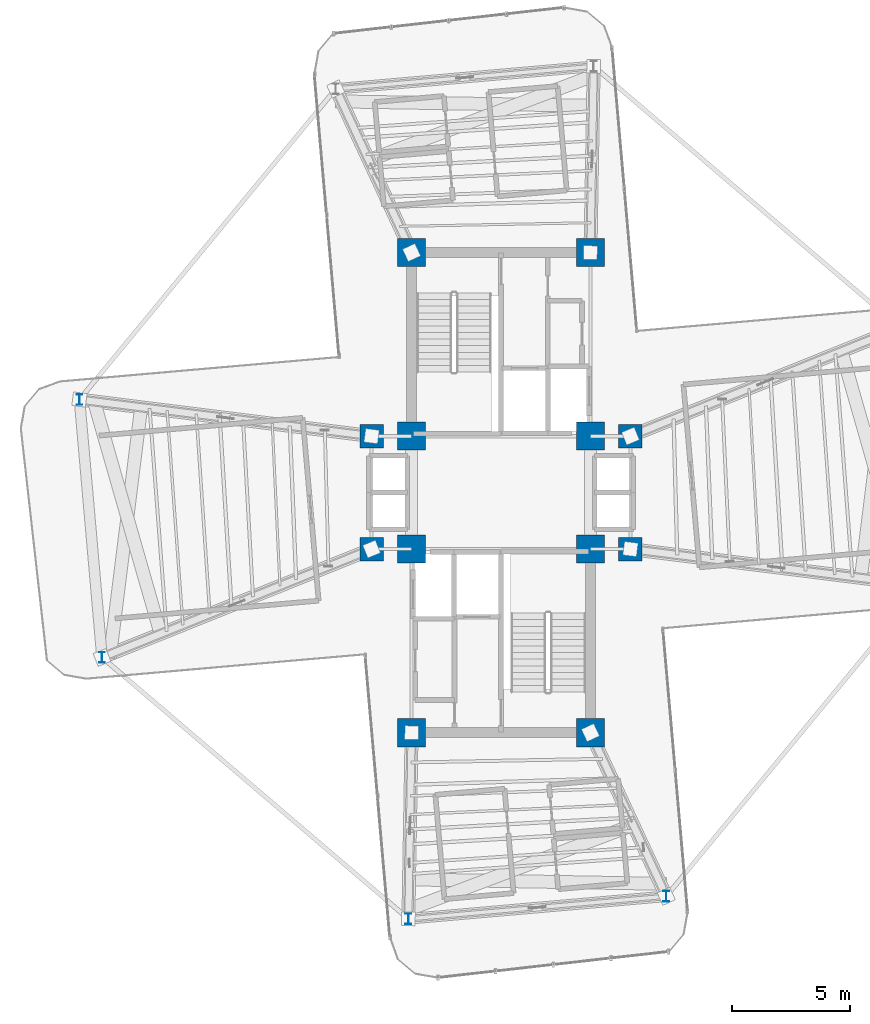
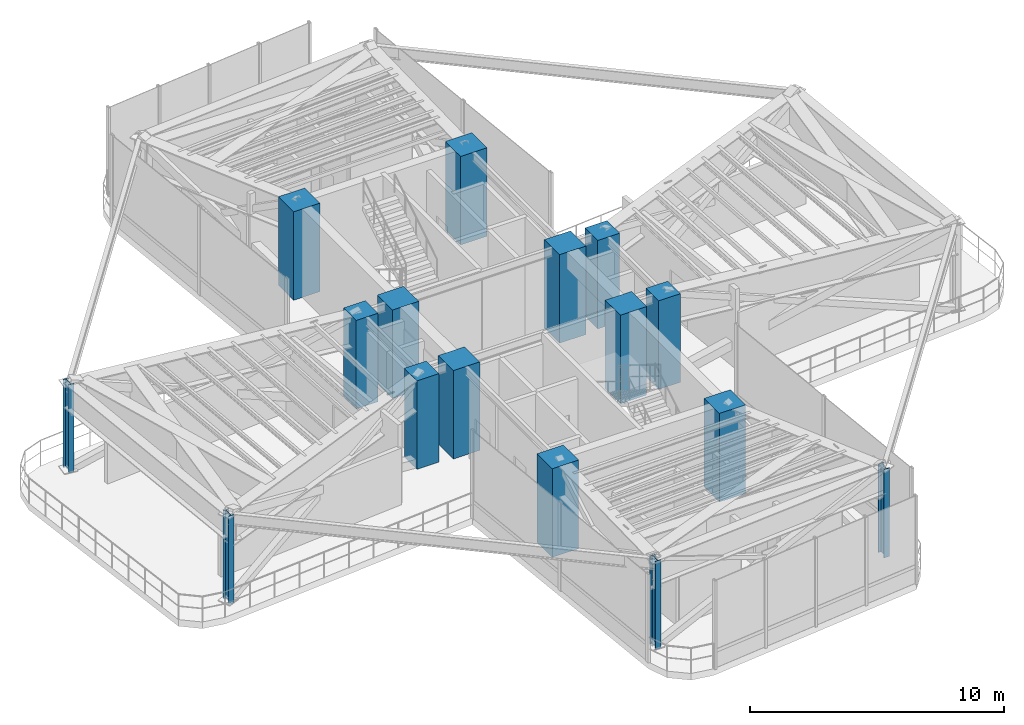
# One storey, part 1 of 17: 16 columns.
"""IFC4 building model written with IfcOpenShell, lengths in metres."""

import ifcopenshell
import ifcopenshell.guid

model = None  # the IFC model being written
_history = None  # IfcOwnerHistory: only IFC2X3 demands one
_inside = {}  # id of a spatial element -> (the spatial element, [elements in it])
_under = {}  # id of a project, library or spatial element -> (it, [spatial elements below it])
_declared = {}  # id of a project -> (the project, [libraries it declares])
_typed = {}  # id of a type object -> (the type object, [elements of that type])
_made_of = {}  # id of a material, layer set ... -> (it, [elements and type objects made of it])


def new_model(schema):
    """Start an empty IFC model of exactly this schema.

    Asked for "IFC4X3", IfcOpenShell would pick the latest addendum, in which some entities
    have other attributes; the version numbers below select the first issue.
    IFC2X3 requires an IfcOwnerHistory on every rooted entity: one is made here for all.
    """
    global model, _history
    if schema == "IFC4X3":
        model = ifcopenshell.file(schema_version=(4, 3, 0, 0))
    else:
        model = ifcopenshell.file(schema=schema)
    _inside.clear()
    _under.clear()
    _declared.clear()
    _typed.clear()
    _made_of.clear()
    _history = None
    if model.schema == "IFC2X3":
        org = make("IfcOrganization", Name="unknown")
        user = make(
            "IfcPersonAndOrganization",
            ThePerson=make("IfcPerson", FamilyName="unknown"),
            TheOrganization=org,
        )
        app = make(
            "IfcApplication",
            ApplicationDeveloper=org,
            Version="unknown",
            ApplicationFullName="unknown",
            ApplicationIdentifier="unknown",
        )
        _history = make(
            "IfcOwnerHistory",
            OwningUser=user,
            OwningApplication=app,
            ChangeAction="ADDED",
            CreationDate=0,
        )
    return model


def make(cls, **values):
    """One entity of the class cls with the attributes given. An attribute that is None is left unset."""
    return model.create_entity(
        cls, **{name: value for name, value in values.items() if value is not None}
    )


def rooted(cls, **values):
    """An entity with a GlobalId (a new one), such as an element, a storey or a relation."""
    return make(cls, GlobalId=ifcopenshell.guid.new(), OwnerHistory=_history, **values)


def si_unit(unit_type, name, prefix=None):
    """IfcSIUnit, for example si_unit("LENGTHUNIT", "METRE", prefix="MILLI")."""
    return make("IfcSIUnit", UnitType=unit_type, Prefix=prefix, Name=name)


def assignment(units):
    """IfcUnitAssignment: the units of a project."""
    return None if units is None else make("IfcUnitAssignment", Units=units)


def point(xyz):
    """IfcCartesianPoint."""
    return None if xyz is None else make("IfcCartesianPoint", Coordinates=xyz)


def direction(xyz):
    """IfcDirection."""
    return None if xyz is None else make("IfcDirection", DirectionRatios=xyz)


def frame(location, z_axis=None, x_axis=None):
    """IfcAxis2Placement3D, a coordinate frame: its origin and axes. An axis left out is left unset."""
    return make(
        "IfcAxis2Placement3D",
        Location=point(location),
        Axis=direction(z_axis),
        RefDirection=direction(x_axis),
    )


def frame_2d(location, x_axis=None):
    """IfcAxis2Placement2D, a coordinate frame in the plane: its origin and x axis."""
    return make(
        "IfcAxis2Placement2D", Location=point(location), RefDirection=direction(x_axis)
    )


def origin():
    """The frame at (0, 0, 0) with its axes left unset."""
    return frame((0.0, 0.0, 0.0))


def origin_2d():
    """The frame at (0, 0) in the plane with its x axis left unset."""
    return frame_2d((0.0, 0.0))


def place(relative_to, where):
    """IfcLocalPlacement: puts the frame where relative to a parent placement (None: the world)."""
    return make(
        "IfcLocalPlacement", PlacementRelTo=relative_to, RelativePlacement=where
    )


def context(
    kind, dimensions, precision=None, world=None, true_north=None, identifier=None
):
    """IfcGeometricRepresentationContext, for example the 3D "Model" context."""
    return make(
        "IfcGeometricRepresentationContext",
        ContextIdentifier=identifier,
        ContextType=kind,
        CoordinateSpaceDimension=dimensions,
        Precision=precision,
        WorldCoordinateSystem=world,
        TrueNorth=true_north,
    )


def subcontext(parent, identifier, kind, view, scale=None):
    """IfcGeometricRepresentationSubContext, for example "Body" below "Model"."""
    return make(
        "IfcGeometricRepresentationSubContext",
        ContextIdentifier=identifier,
        ContextType=kind,
        ParentContext=parent,
        TargetScale=scale,
        TargetView=view,
    )


def project(units=None, contexts=None):
    """IfcProject with its units and contexts."""
    return rooted(
        "IfcProject",
        Name="project",
        RepresentationContexts=contexts,
        UnitsInContext=assignment(units),
    )


def spatial(cls, under=None, at=None, **own):
    """A site, building, storey or space (cls), placed at a placement, below another one or the project."""
    s = rooted(cls, ObjectPlacement=at, **own)
    if under is not None:
        _under.setdefault(under.id(), (under, []))[1].append(s)
    return s


def profile(cls, at=None, kind="AREA", **sizes):
    """A parametric profile (cls). Its sizes go by their IFC names, for example OverallWidth=200.0."""
    return make(cls, ProfileType=kind, Position=at, **sizes)


def rectangle(**sizes):
    """IfcRectangleProfileDef."""
    return profile("IfcRectangleProfileDef", **sizes)


def i_section(**sizes):
    """IfcIShapeProfileDef."""
    return profile("IfcIShapeProfileDef", **sizes)


def extrude(swept, where, along, depth):
    """IfcExtrudedAreaSolid: the profile swept, set in the frame where, extruded along a direction by depth."""
    return make(
        "IfcExtrudedAreaSolid",
        SweptArea=swept,
        Position=where,
        ExtrudedDirection=direction(along),
        Depth=depth,
    )


def shape(context_of_items, identifier, shape_type, items):
    """IfcShapeRepresentation: the items that make up one representation, for example the "Body"."""
    return make(
        "IfcShapeRepresentation",
        ContextOfItems=context_of_items,
        RepresentationIdentifier=identifier,
        RepresentationType=shape_type,
        Items=items,
    )


def source(mapping_origin, context_of_items, identifier, shape_type, items):
    """IfcRepresentationMap: a shape defined once, which mapped items show again and again."""
    return make(
        "IfcRepresentationMap",
        MappingOrigin=mapping_origin,
        MappedRepresentation=shape(context_of_items, identifier, shape_type, items),
    )


def transform(
    local_origin,
    x_axis=None,
    y_axis=None,
    z_axis=None,
    scale=None,
    scale2=None,
    scale3=None,
    uniform=True,
):
    """IfcCartesianTransformationOperator3D, or its non-uniform kind. x_axis, y_axis, z_axis: its Axis1, 2, 3."""
    if uniform:
        return make(
            "IfcCartesianTransformationOperator3D",
            Axis1=direction(x_axis),
            Axis2=direction(y_axis),
            LocalOrigin=point(local_origin),
            Scale=scale,
            Axis3=direction(z_axis),
        )
    return make(
        "IfcCartesianTransformationOperator3DnonUniform",
        Axis1=direction(x_axis),
        Axis2=direction(y_axis),
        LocalOrigin=point(local_origin),
        Scale=scale,
        Axis3=direction(z_axis),
        Scale2=scale2,
        Scale3=scale3,
    )


def mapped(mapping_source, mapping_target):
    """IfcMappedItem: shows the shape of a source again, moved by a transform."""
    return make(
        "IfcMappedItem", MappingSource=mapping_source, MappingTarget=mapping_target
    )


def material(Name=None, Category=None):
    """IfcMaterial."""
    return make("IfcMaterial", Name=Name, Category=Category)


def material_profile(
    of_material, cross_section, Name=None, Category=None, Priority=None
):
    """IfcMaterialProfile: a cross section and its material."""
    return make(
        "IfcMaterialProfile",
        Name=Name,
        Material=of_material,
        Profile=cross_section,
        Priority=Priority,
        Category=Category,
    )


def profile_set(profiles, Name=None, composite=None):
    """IfcMaterialProfileSet."""
    return make(
        "IfcMaterialProfileSet",
        Name=Name,
        MaterialProfiles=profiles,
        CompositeProfile=composite,
    )


def made_of(thing, what):
    """Note that an element or type object is made of a material, layer set ...; save() writes the relation."""
    if what is not None:
        _made_of.setdefault(what.id(), (what, []))[1].append(thing)
    return thing


def type_object(cls, material=None, **own):
    """A type object (cls), such as IfcWallType, which elements share."""
    return made_of(rooted(cls, **own), material)


def element(
    cls,
    number,
    at=None,
    inside=None,
    cuts=None,
    type_object=None,
    material=None,
    context=None,
    identifier="Body",
    shape_type=None,
    held_by="IfcProductDefinitionShape",
    body=None,
    shapes=None,
    **own,
):
    """One element of the class cls, such as IfcWall. Its Tag is "e" and its number.

    at: its placement. inside: the storey or other place that contains it. cuts: it is an
    opening in that element (IfcRelVoidsElement). A single representation is given by context,
    identifier, shape_type and body (its items); several are given by shapes. held_by: the class
    of the entity that holds the representations. save() writes the other relations.
    """
    e = rooted(cls, Tag="e%d" % number, ObjectPlacement=at, **own)
    if body is not None:
        shapes = [shape(context, identifier, shape_type, body)]
    if shapes is not None:
        e.Representation = make(held_by, Representations=shapes)
    if inside is not None:
        _inside.setdefault(inside.id(), (inside, []))[1].append(e)
    if cuts is not None:
        rooted(
            "IfcRelVoidsElement", RelatingBuildingElement=cuts, RelatedOpeningElement=e
        )
    if type_object is not None:
        _typed.setdefault(type_object.id(), (type_object, []))[1].append(e)
    return made_of(e, material)


def aggregate(whole, parts):
    """IfcRelAggregates: a whole, such as a stair, and the parts it consists of."""
    return rooted("IfcRelAggregates", RelatingObject=whole, RelatedObjects=parts)


def save(model, path):
    """Write the relations noted so far, then the file.

    IfcRelAggregates (storeys below a building ...), IfcRelContainedInSpatialStructure (elements
    in a storey), IfcRelDefinesByType, IfcRelAssociatesMaterial and IfcRelDeclares: one each for
    every whole, place, type object, material and project.
    """
    for whole, parts in _under.values():
        aggregate(whole, parts)
    for where, things in _inside.values():
        rooted(
            "IfcRelContainedInSpatialStructure",
            RelatedElements=things,
            RelatingStructure=where,
        )
    for kind, things in _typed.values():
        rooted("IfcRelDefinesByType", RelatedObjects=things, RelatingType=kind)
    for what, things in _made_of.values():
        rooted("IfcRelAssociatesMaterial", RelatedObjects=things, RelatingMaterial=what)
    for by, libraries in _declared.values():
        rooted("IfcRelDeclares", RelatingContext=by, RelatedDefinitions=libraries)
    model.write(path)


model = new_model("IFC4")

# Units and contexts
model_context = context("Model", 3, precision=1e-05, world=origin(), true_north=direction((0.0, 1.0)))
body_context = subcontext(model_context, "Body", "Model", "MODEL_VIEW")
ifc_project = project(units=[si_unit("LENGTHUNIT", "METRE"), si_unit("AREAUNIT", "SQUARE_METRE"), si_unit("VOLUMEUNIT", "CUBIC_METRE"), si_unit("PLANEANGLEUNIT", "RADIAN"), si_unit("MASSUNIT", "GRAM", prefix="KILO")], contexts=[model_context])

# Site, building, storey
site_placement = place(None, origin())
site = spatial("IfcSite", under=ifc_project, at=site_placement, CompositionType="ELEMENT")
building_placement = place(site_placement, origin())
building = spatial("IfcBuilding", under=site, at=building_placement, Name="Sahyath Konkavel Grand Hotel", CompositionType="ELEMENT")
storey_placement = place(building_placement, frame((0.0, 0.0, 202.0)))
storey = spatial("IfcBuildingStorey", under=building, at=storey_placement, Name="L56", CompositionType="ELEMENT", Elevation=202.0)

# Columns
ifc_material_1 = material(Name="Concrete C50/60", Category="concrete")
ifc_material_profile_1 = material_profile(ifc_material_1, rectangle(XDim=1.199951171875, YDim=1.199951171875, at=origin_2d()), Name="RC 1200x1200")
ifc_profile_set_1 = profile_set([ifc_material_profile_1], Name="Concrete C50/60")
column_type_1 = type_object("IfcColumnType", Name="COL-RC1200", PredefinedType="COLUMN", material=ifc_profile_set_1)
shared_shape_1 = source(origin(), body_context, "Body", "SweptSolid", [
    extrude(rectangle(XDim=1.199951171875, YDim=1.199951171875, at=origin_2d()), origin(), (0.0, 0.0, 1.0), 4.260009765625),
])
for number, where, z_axis, x_axis, name in (
    (1, (-3.800048828125, 2.39990234375, 0.0), (0.0, 0.0, 1.0), (1.0, 0.0, 0.0), "L56 Core Boundary Column NC-SW"),
    (2, (3.800048828125, 2.39990234375, 0.0), (0.0, 0.0, 1.0), (1.0, 0.0, 0.0), "L56 Core Boundary Column NC-SE"),
    (3, (-3.800048828125, 10.199951171875, 0.0), (0.0, 0.0, 1.0), (1.0, 0.0, 0.0), "L56 Core Boundary Column NC-NW"),
    (4, (3.800048828125, 10.199951171875, 0.0), (0.0, 0.0, 1.0), (1.0, 0.0, 0.0), "L56 Core Boundary Column NC-NE"),
    (5, (-3.800048828125, -2.39990234375, 0.0), (0.0, 0.0, 1.0), (1.0, 0.0, 0.0), "L56 Core Boundary Column SC-NW"),
    (6, (3.800048828125, -2.39990234375, 0.0), (0.0, 0.0, 1.0), (1.0, 0.0, 0.0), "L56 Core Boundary Column SC-NE"),
    (7, (-3.800048828125, -10.199951171875, 0.0), (0.0, 0.0, 1.0), (1.0, 0.0, 0.0), "L56 Core Boundary Column SC-SW"),
    (8, (3.800048828125, -10.199951171875, 0.0), (0.0, 0.0, 1.0), (1.0, 0.0, 0.0), "L56 Core Boundary Column SC-SE"),
):
    element("IfcColumn", number, at=place(storey_placement, frame(where, z_axis=z_axis, x_axis=x_axis)), inside=storey, type_object=column_type_1, Name=name, PredefinedType="COLUMN", context=body_context, shape_type="MappedRepresentation", body=[
        mapped(shared_shape_1, transform((0.0, 0.0, 0.0), scale=1.0)),
    ])
ifc_material_profile_2 = material_profile(ifc_material_1, rectangle(XDim=1.0, YDim=1.0, at=origin_2d()), Name="RC 1000x1000")
ifc_profile_set_2 = profile_set([ifc_material_profile_2], Name="Concrete C50/60")
column_type_2 = type_object("IfcColumnType", Name="COL-RC1000", PredefinedType="COLUMN", material=ifc_profile_set_2)
shared_shape_2 = source(origin(), body_context, "Body", "SweptSolid", [
    extrude(rectangle(XDim=1.0, YDim=1.0, at=origin_2d()), origin(), (0.0, 0.0, 1.0), 4.260009765625),
])
for number, where, z_axis, x_axis, name in (
    (9, (5.5, 2.39990234375, 0.0), (0.0, 0.0, 1.0), (1.0, 0.0, 0.0), "L56 Central Spine Column HB-NE"),
    (10, (-5.5, 2.39990234375, 0.0), (0.0, 0.0, 1.0), (1.0, 0.0, 0.0), "L56 Central Spine Column HB-NW"),
    (11, (5.5, -2.39990234375, 0.0), (0.0, 0.0, 1.0), (1.0, 0.0, 0.0), "L56 Central Spine Column HB-SE"),
    (12, (-5.5, -2.39990234375, 0.0), (0.0, 0.0, 1.0), (1.0, 0.0, 0.0), "L56 Central Spine Column HB-SW"),
):
    element("IfcColumn", number, at=place(storey_placement, frame(where, z_axis=z_axis, x_axis=x_axis)), inside=storey, type_object=column_type_2, Name=name, PredefinedType="COLUMN", context=body_context, shape_type="MappedRepresentation", body=[
        mapped(shared_shape_2, transform((0.0, 0.0, 0.0), scale=1.0)),
    ])
ifc_material_2 = material(Name="Steel E450", Category="steel")
ifc_material_profile_3 = material_profile(ifc_material_2, i_section(OverallWidth=0.25, OverallDepth=0.449951171875, WebThickness=0.013671875, FlangeThickness=0.013671875, FilletRadius=0.014892578125, at=origin_2d()), Name="ISHB 450")
ifc_profile_set_3 = profile_set([ifc_material_profile_3], Name="Steel E450")
column_type_3 = type_object("IfcColumnType", Name="COL-ISHB450", PredefinedType="COLUMN", material=ifc_profile_set_3)
shared_shape_3 = source(origin(), body_context, "Body", "SweptSolid", [
    extrude(i_section(OverallWidth=0.25, OverallDepth=0.449951171875, WebThickness=0.013671875, FlangeThickness=0.013671875, FilletRadius=0.014892578125, at=origin_2d()), origin(), (0.0, 0.0, 1.0), 4.260009765625),
])
for number, where, z_axis, x_axis, name in (
    (13, (-17.912841796875, 3.953857421875, 0.0), (0.0, 0.0, 1.0), (1.0, 0.0, 0.0), "L56 Cruciform Wing Column WC-WA"),
    (14, (-16.9541015625, -7.00439453125, 0.0), (0.0, 0.0, 1.0), (1.0, 0.0, 0.0), "L56 Cruciform Wing Column WC-WB"),
    (15, (-3.936279296875, -18.112060546875, 0.0), (0.0, 0.0, 1.0), (1.0, 0.0, 0.0), "L56 Cruciform Wing Column WC-SA"),
    (16, (7.021728515625, -17.1533203125, 0.0), (0.0, 0.0, 1.0), (1.0, 0.0, 0.0), "L56 Cruciform Wing Column WC-SB"),
):
    element("IfcColumn", number, at=place(storey_placement, frame(where, z_axis=z_axis, x_axis=x_axis)), inside=storey, type_object=column_type_3, Name=name, PredefinedType="COLUMN", context=body_context, shape_type="MappedRepresentation", body=[
        mapped(shared_shape_3, transform((0.0, 0.0, 0.0), scale=1.0)),
    ])

save(model, "model.ifc")
